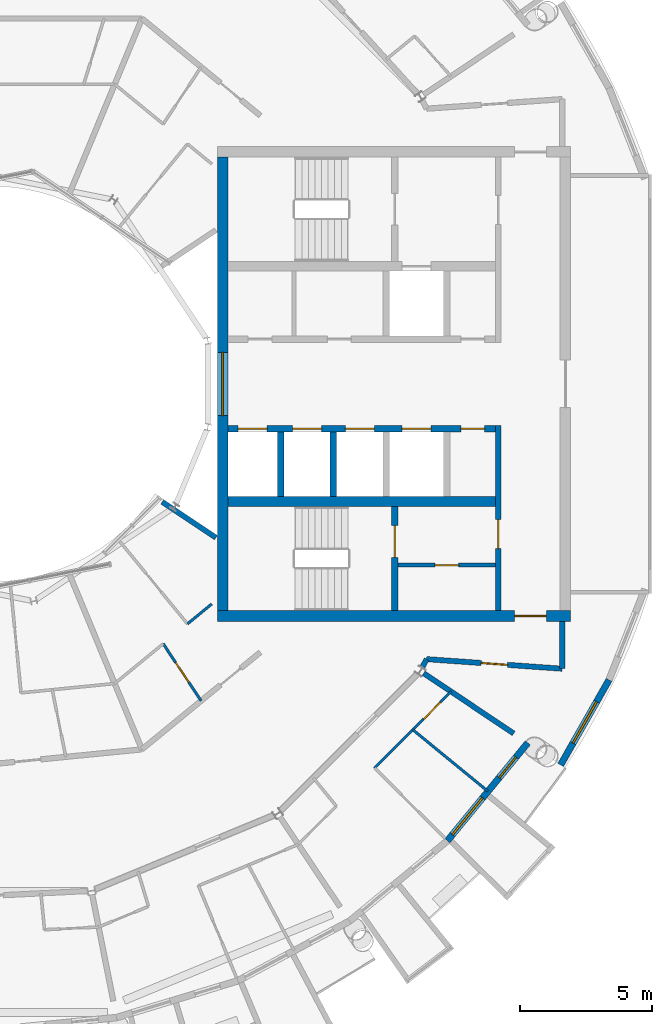
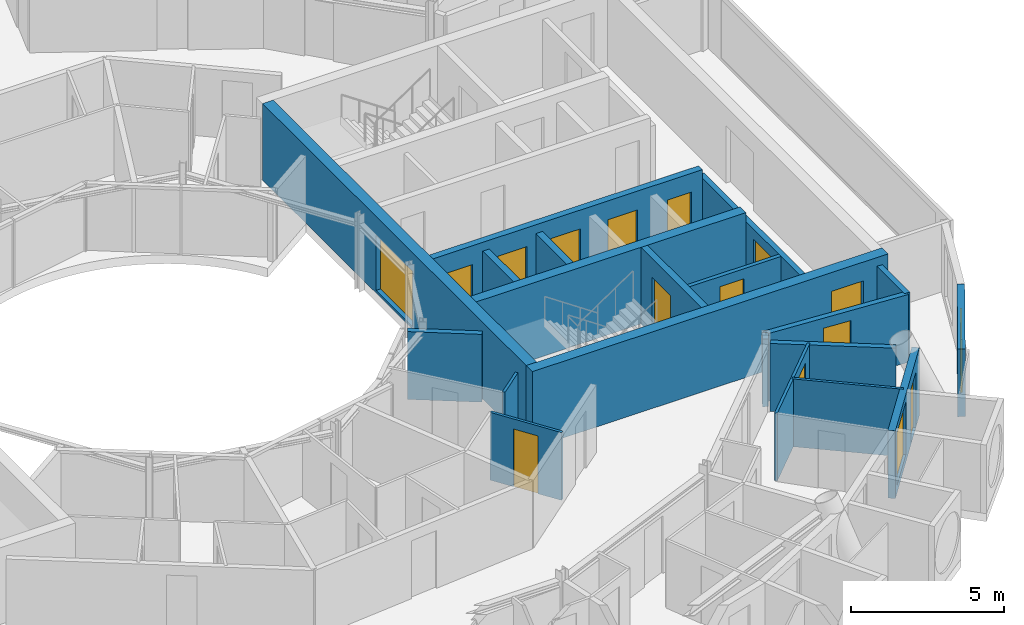
# One storey, part 18 of 27: 20 walls, 13 doors, 3 windows, 16 openings.
"""IFC4 building model written with IfcOpenShell, lengths in metres."""

from ifc_helpers import new_model, si_unit, direction, frame, frame_2d, origin, place, context, subcontext, project, spatial, rectangle, extrude, material, layer, layer_set, type_object, element, fill, save


model = new_model("IFC4")

# Units and contexts
model_context = context("Model", 3, precision=1e-05, world=origin(), true_north=direction((0.0, 1.0)))
body_context = subcontext(model_context, "Body", "Model", "MODEL_VIEW")
ifc_project = project(units=[si_unit("LENGTHUNIT", "METRE"), si_unit("AREAUNIT", "SQUARE_METRE"), si_unit("VOLUMEUNIT", "CUBIC_METRE"), si_unit("PLANEANGLEUNIT", "RADIAN"), si_unit("MASSUNIT", "GRAM", prefix="KILO")], contexts=[model_context])

# Site, building, storey
site_placement = place(None, origin())
site = spatial("IfcSite", under=ifc_project, at=site_placement, CompositionType="ELEMENT")
building_placement = place(site_placement, origin())
building = spatial("IfcBuilding", under=site, at=building_placement, Name="Maasbend Ring Residences", CompositionType="ELEMENT")
storey_placement = place(building_placement, frame((0.0, 0.0, 243.199951171875)))
storey = spatial("IfcBuildingStorey", under=building, at=storey_placement, Name="L70", CompositionType="ELEMENT", Elevation=243.199951171875)

# Wall, openings, doors
ifc_material_1 = material(Name="Concrete C50/60", Category="concrete")
ifc_layer_1 = layer(ifc_material_1, 0.25)
ifc_layer_set_1 = layer_set([ifc_layer_1], Name="Concrete C50/60")
wall_type_1 = type_object("IfcWallType", Name="CORE WALL 250 C50/60", PredefinedType="SHEAR", material=ifc_layer_set_1)
wall_1_placement = place(storey_placement, frame((19.14990234375, -1.699951171875, 0.0), z_axis=(0.0, 0.0, 1.0), x_axis=(-1.0, 0.0, 0.0)))
wall_1 = element("IfcWall", 1, at=wall_1_placement, inside=storey, type_object=wall_type_1, Name="L70 core E wall SPS", PredefinedType="SHEAR", context=body_context, shape_type="SweptSolid", body=[
    extrude(rectangle(XDim=10.14990234375, YDim=0.25, at=frame_2d((5.074951171875, 0.0))), origin(), (0.0, 0.0, 1.0), 3.050048828125),
])
opening_1_placement = place(wall_1_placement, frame((8.66259765625, 0.0, 0.0)))
opening_1 = element("IfcOpeningElement", 2, at=opening_1_placement, cuts=wall_1, Name="Opening LD-E7002", PredefinedType="OPENING", context=body_context, shape_type="SweptSolid", body=[
    extrude(rectangle(XDim=1.10009765625, YDim=2.300048828125, at=frame_2d((0.550048828125, 1.14990234375))), frame((0.0, 0.135009765625, 0.0), z_axis=(0.0, -1.0, 0.0), x_axis=(1.0, 0.0, 0.0)), (0.0, 0.0, 1.0), 0.27001953125),
])
opening_2_placement = place(wall_1_placement, frame((6.60009765625, 0.0, 0.0)))
opening_2 = element("IfcOpeningElement", 3, at=opening_2_placement, cuts=wall_1, Name="Opening LD-E7003", PredefinedType="OPENING", context=body_context, shape_type="SweptSolid", body=[
    extrude(rectangle(XDim=1.10009765625, YDim=2.300048828125, at=frame_2d((0.550048828125, 1.14990234375))), frame((0.0, 0.135009765625, 0.0), z_axis=(0.0, -1.0, 0.0), x_axis=(1.0, 0.0, 0.0)), (0.0, 0.0, 1.0), 0.27001953125),
])
opening_3_placement = place(wall_1_placement, frame((4.60009765625, 0.0, 0.0)))
opening_3 = element("IfcOpeningElement", 4, at=opening_3_placement, cuts=wall_1, Name="Opening LD-E7004", PredefinedType="OPENING", context=body_context, shape_type="SweptSolid", body=[
    extrude(rectangle(XDim=1.10009765625, YDim=2.300048828125, at=frame_2d((0.550048828125, 1.14990234375))), frame((0.0, 0.135009765625, 0.0), z_axis=(0.0, -1.0, 0.0), x_axis=(1.0, 0.0, 0.0)), (0.0, 0.0, 1.0), 0.27001953125),
])
opening_4_placement = place(wall_1_placement, frame((2.449951171875, 0.0, 0.0)))
opening_4 = element("IfcOpeningElement", 5, at=opening_4_placement, cuts=wall_1, Name="Opening LD-E7005", PredefinedType="OPENING", context=body_context, shape_type="SweptSolid", body=[
    extrude(rectangle(XDim=1.10009765625, YDim=2.300048828125, at=frame_2d((0.550048828125, 1.14990234375))), frame((0.0, 0.135009765625, 0.0), z_axis=(0.0, -1.0, 0.0), x_axis=(1.0, 0.0, 0.0)), (0.0, 0.0, 1.0), 0.27001953125),
])
opening_5_placement = place(wall_1_placement, frame((0.41259765625, 0.0, 0.0)))
opening_5 = element("IfcOpeningElement", 6, at=opening_5_placement, cuts=wall_1, Name="Opening D-E7009", PredefinedType="OPENING", context=body_context, shape_type="SweptSolid", body=[
    extrude(rectangle(XDim=0.89990234375, YDim=2.300048828125, at=frame_2d((0.449951171875, 1.14990234375))), frame((0.0, 0.135009765625, 0.0), z_axis=(0.0, -1.0, 0.0), x_axis=(1.0, 0.0, 0.0)), (0.0, 0.0, 1.0), 0.27001953125),
])
ifc_material_2 = material(Name="Stainless steel 316", Category="steel")
door_type_1 = type_object("IfcDoorType", Name="LANDING DOOR 1100 X 2300 FD60", OperationType="DOUBLE_DOOR_SLIDING", PredefinedType="DOOR", material=ifc_material_2)
door_1_placement = place(opening_1_placement, origin())
door_1 = element("IfcDoor", 7, at=door_1_placement, inside=storey, type_object=door_type_1, Name="Landing door HR-E1 L70", OperationType="DOUBLE_DOOR_SLIDING", OverallHeight=2.300048828125, OverallWidth=1.10009765625, PredefinedType="DOOR", context=body_context, shape_type="SweptSolid", body=[
    extrude(rectangle(XDim=1.10009765625, YDim=2.300048828125, at=frame_2d((0.550048828125, 1.14990234375))), frame((0.0, 0.02490234375, 0.0), z_axis=(0.0, -1.0, 0.0), x_axis=(1.0, 0.0, 0.0)), (0.0, 0.0, 1.0), 0.050048828125),
])
fill(opening_1, door_1)
door_2_placement = place(opening_2_placement, origin())
door_2 = element("IfcDoor", 8, at=door_2_placement, inside=storey, type_object=door_type_1, Name="Landing door HR-E2 L70", OperationType="DOUBLE_DOOR_SLIDING", OverallHeight=2.300048828125, OverallWidth=1.10009765625, PredefinedType="DOOR", context=body_context, shape_type="SweptSolid", body=[
    extrude(rectangle(XDim=1.10009765625, YDim=2.300048828125, at=frame_2d((0.550048828125, 1.14990234375))), frame((0.0, 0.02490234375, 0.0), z_axis=(0.0, -1.0, 0.0), x_axis=(1.0, 0.0, 0.0)), (0.0, 0.0, 1.0), 0.050048828125),
])
fill(opening_2, door_2)
door_3_placement = place(opening_3_placement, origin())
door_3 = element("IfcDoor", 9, at=door_3_placement, inside=storey, type_object=door_type_1, Name="Landing door HR-E3 L70", OperationType="DOUBLE_DOOR_SLIDING", OverallHeight=2.300048828125, OverallWidth=1.10009765625, PredefinedType="DOOR", context=body_context, shape_type="SweptSolid", body=[
    extrude(rectangle(XDim=1.10009765625, YDim=2.300048828125, at=frame_2d((0.550048828125, 1.14990234375))), frame((0.0, 0.02490234375, 0.0), z_axis=(0.0, -1.0, 0.0), x_axis=(1.0, 0.0, 0.0)), (0.0, 0.0, 1.0), 0.050048828125),
])
fill(opening_3, door_3)
door_4_placement = place(opening_4_placement, origin())
door_4 = element("IfcDoor", 10, at=door_4_placement, inside=storey, type_object=door_type_1, Name="Landing door SV-E L70", OperationType="DOUBLE_DOOR_SLIDING", OverallHeight=2.300048828125, OverallWidth=1.10009765625, PredefinedType="DOOR", context=body_context, shape_type="SweptSolid", body=[
    extrude(rectangle(XDim=1.10009765625, YDim=2.300048828125, at=frame_2d((0.550048828125, 1.14990234375))), frame((0.0, 0.02490234375, 0.0), z_axis=(0.0, -1.0, 0.0), x_axis=(1.0, 0.0, 0.0)), (0.0, 0.0, 1.0), 0.050048828125),
])
fill(opening_4, door_4)
ifc_material_3 = material(Name="Steel, powder coated", Category="steel")
door_type_2 = type_object("IfcDoorType", Name="ROOM DOOR 900 X 2300 FD30S", OperationType="NOTDEFINED", PredefinedType="DOOR", material=ifc_material_3)
door_5_placement = place(opening_5_placement, origin())
door_5 = element("IfcDoor", 11, at=door_5_placement, inside=storey, type_object=door_type_2, Name="Room door L70", OperationType="SINGLE_SWING_RIGHT", OverallHeight=2.300048828125, OverallWidth=0.89990234375, PredefinedType="DOOR", context=body_context, shape_type="SweptSolid", body=[
    extrude(rectangle(XDim=0.89990234375, YDim=2.300048828125, at=frame_2d((0.449951171875, 1.14990234375))), frame((0.0, 0.02490234375, 0.0), z_axis=(0.0, -1.0, 0.0), x_axis=(1.0, 0.0, 0.0)), (0.0, 0.0, 1.0), 0.050048828125),
])
fill(opening_5, door_5)

# Wall, opening, door
wall_2_placement = place(storey_placement, frame((15.324951171875, -8.60009765625, 0.0), z_axis=(0.0, 0.0, 1.0), x_axis=(0.0, 1.0, 0.0)))
wall_2 = element("IfcWall", 12, at=wall_2_placement, inside=storey, type_object=wall_type_1, Name="L70 core E wall STES", PredefinedType="SHEAR", context=body_context, shape_type="SweptSolid", body=[
    extrude(rectangle(XDim=3.9501953125, YDim=0.25, at=frame_2d((1.97509765625, 0.0))), origin(), (0.0, 0.0, 1.0), 3.050048828125),
])
opening_6_placement = place(wall_2_placement, frame((2.02490234375, 0.0, 0.0)))
opening_6 = element("IfcOpeningElement", 13, at=opening_6_placement, cuts=wall_2, Name="Opening D-E7012", PredefinedType="OPENING", context=body_context, shape_type="SweptSolid", body=[
    extrude(rectangle(XDim=1.199951171875, YDim=2.300048828125, at=frame_2d((0.60009765625, 1.14990234375))), frame((0.0, 0.135009765625, 0.0), z_axis=(0.0, -1.0, 0.0), x_axis=(1.0, 0.0, 0.0)), (0.0, 0.0, 1.0), 0.27001953125),
])
ifc_material_4 = material(Name="Steel, powder coated", Category="steel")
door_type_3 = type_object("IfcDoorType", Name="STAIR DOOR 1200 X 2300 FD60", OperationType="NOTDEFINED", PredefinedType="DOOR", material=ifc_material_4)
door_6_placement = place(opening_6_placement, origin())
door_6 = element("IfcDoor", 14, at=door_6_placement, inside=storey, type_object=door_type_3, Name="Stair door ST-E L70", OperationType="SINGLE_SWING_LEFT", OverallHeight=2.300048828125, OverallWidth=1.199951171875, PredefinedType="DOOR", context=body_context, shape_type="SweptSolid", body=[
    extrude(rectangle(XDim=1.199951171875, YDim=2.300048828125, at=frame_2d((0.60009765625, 1.14990234375))), frame((0.0, 0.02490234375, 0.0), z_axis=(0.0, -1.0, 0.0), x_axis=(1.0, 0.0, 0.0)), (0.0, 0.0, 1.0), 0.050048828125),
])
fill(opening_6, door_6)

# Wall
ifc_material_5 = material(Name="Concrete C50/60", Category="concrete")
ifc_layer_2 = layer(ifc_material_5, 0.375)
ifc_layer_set_2 = layer_set([ifc_layer_2], Name="Concrete C50/60")
wall_type_2 = type_object("IfcWallType", Name="CORE WALL 375 C50/60", PredefinedType="SHEAR", material=ifc_layer_set_2)
wall_3_placement = place(storey_placement, frame((9.0, -4.46240234375, 0.0), z_axis=(0.0, 0.0, 1.0), x_axis=(1.0, 0.0, 0.0)))
element("IfcWall", 15, at=wall_3_placement, inside=storey, type_object=wall_type_2, Name="L70 core E wall BS", PredefinedType="SHEAR", context=body_context, shape_type="SweptSolid", body=[
    extrude(rectangle(XDim=10.14990234375, YDim=0.375, at=frame_2d((5.074951171875, 0.0))), origin(), (0.0, 0.0, 1.0), 3.050048828125),
])

# Wall, opening, door
ifc_material_6 = material(Name="Concrete C50/60", Category="concrete")
ifc_layer_3 = layer(ifc_material_6, 0.39990234375)
ifc_layer_set_3 = layer_set([ifc_layer_3], Name="Concrete C50/60")
wall_type_3 = type_object("IfcWallType", Name="CORE WALL 400 C50/60", PredefinedType="SHEAR", material=ifc_layer_set_3)
wall_4_placement = place(storey_placement, frame((8.60009765625, -8.800048828125, 0.0), z_axis=(0.0, 0.0, 1.0), x_axis=(1.0, 0.0, 0.0)))
wall_4 = element("IfcWall", 16, at=wall_4_placement, inside=storey, type_object=wall_type_3, Name="L70 core E wall PS", PredefinedType="SHEAR", context=body_context, shape_type="SweptSolid", body=[
    extrude(rectangle(XDim=13.39990234375, YDim=0.39990234375, at=frame_2d((6.699951171875, 0.0))), origin(), (0.0, 0.0, 1.0), 3.050048828125),
])
opening_7_placement = place(wall_4_placement, frame((11.27490234375, 0.0, 0.0)))
opening_7 = element("IfcOpeningElement", 17, at=opening_7_placement, cuts=wall_4, Name="Opening D-E7016", PredefinedType="OPENING", context=body_context, shape_type="SweptSolid", body=[
    extrude(rectangle(XDim=1.199951171875, YDim=2.300048828125, at=frame_2d((0.60009765625, 1.14990234375))), frame((0.0, 0.2099609375, 0.0), z_axis=(0.0, -1.0, 0.0), x_axis=(1.0, 0.0, 0.0)), (0.0, 0.0, 1.0), 0.419921875),
])
ifc_material_7 = material(Name="Steel, powder coated", Category="steel")
door_type_4 = type_object("IfcDoorType", Name="CORRIDOR DOOR 1200 X 2300 FD30S", OperationType="NOTDEFINED", PredefinedType="DOOR", material=ifc_material_7)
door_7_placement = place(opening_7_placement, origin())
door_7 = element("IfcDoor", 18, at=door_7_placement, inside=storey, type_object=door_type_4, Name="Corridor door L70", OperationType="SINGLE_SWING_LEFT", OverallHeight=2.300048828125, OverallWidth=1.199951171875, PredefinedType="DOOR", context=body_context, shape_type="SweptSolid", body=[
    extrude(rectangle(XDim=1.199951171875, YDim=2.300048828125, at=frame_2d((0.60009765625, 1.14990234375))), frame((0.0, 0.02490234375, 0.0), z_axis=(0.0, -1.0, 0.0), x_axis=(1.0, 0.0, 0.0)), (0.0, 0.0, 1.0), 0.050048828125),
])
fill(opening_7, door_7)

# Wall, opening, window
wall_5_placement = place(storey_placement, frame((8.800048828125, -8.60009765625, 0.0), z_axis=(0.0, 0.0, 1.0), x_axis=(0.0, 1.0, 0.0)))
wall_5 = element("IfcWall", 19, at=wall_5_placement, inside=storey, type_object=wall_type_3, Name="L70 core E wall PIN", PredefinedType="SHEAR", context=body_context, shape_type="SweptSolid", body=[
    extrude(rectangle(XDim=17.2001953125, YDim=0.39990234375, at=frame_2d((8.60009765625, 0.0))), origin(), (0.0, 0.0, 1.0), 3.050048828125),
])
opening_8_placement = place(wall_5_placement, frame((7.39990234375, 0.0, 0.10009765625)))
opening_8 = element("IfcOpeningElement", 20, at=opening_8_placement, cuts=wall_5, Name="Opening W-E7001", PredefinedType="OPENING", context=body_context, shape_type="SweptSolid", body=[
    extrude(rectangle(XDim=2.39990234375, YDim=2.199951171875, at=frame_2d((1.199951171875, 1.10009765625))), frame((0.0, 0.2099609375, 0.0), z_axis=(0.0, -1.0, 0.0), x_axis=(1.0, 0.0, 0.0)), (0.0, 0.0, 1.0), 0.419921875),
])
ifc_material_8 = material(Name="Aluminium frame and clear glass", Category="aluminium")
window_type_1 = type_object("IfcWindowType", Name="FIXED WINDOW 2400 X 2200", PartitioningType="SINGLE_PANEL", PredefinedType="WINDOW", material=ifc_material_8)
window_1_placement = place(opening_8_placement, origin())
window_1 = element("IfcWindow", 21, at=window_1_placement, inside=storey, type_object=window_type_1, Name="Lobby window L70", OverallHeight=2.199951171875, OverallWidth=2.39990234375, PartitioningType="SINGLE_PANEL", PredefinedType="WINDOW", context=body_context, shape_type="SweptSolid", body=[
    extrude(rectangle(XDim=2.39990234375, YDim=2.199951171875, at=frame_2d((1.199951171875, 1.10009765625))), frame((0.0, 0.030029296875, 0.0), z_axis=(0.0, -1.0, 0.0), x_axis=(1.0, 0.0, 0.0)), (0.0, 0.0, 1.0), 0.06005859375),
])
fill(opening_8, window_1)

# Walls
ifc_material_9 = material(Name="Concrete C30/37", Category="concrete")
ifc_layer_4 = layer(ifc_material_9, 0.199951171875)
ifc_layer_set_4 = layer_set([ifc_layer_4], Name="Concrete C30/37")
wall_type_4 = type_object("IfcWallType", Name="CORRIDOR WALL 200 CONCRETE", PredefinedType="PARTITIONING", material=ifc_layer_set_4)
wall_6_placement = place(storey_placement, frame((21.675048828125, -10.800048828125, 0.0), z_axis=(0.0, 0.0, 1.0), x_axis=(0.0, 1.0, 0.0)))
element("IfcWall", 22, at=wall_6_placement, inside=storey, type_object=wall_type_4, Name="U-L70-w001", PredefinedType="PARTITIONING", context=body_context, shape_type="SweptSolid", body=[
    extrude(rectangle(XDim=1.800048828125, YDim=0.199951171875, at=frame_2d((0.89990234375, 0.0))), origin(), (0.0, 0.0, 1.0), 2.699951171875),
])
wall_7_placement = place(storey_placement, frame((16.366943359375, -10.756103515625, 0.0), z_axis=(0.0, 0.0, 1.0), x_axis=(0.465802239822, 0.884888848035, 0.0)))
element("IfcWall", 23, at=wall_7_placement, inside=storey, type_object=wall_type_4, Name="U-L70-w014", PredefinedType="PARTITIONING", context=body_context, shape_type="SweptSolid", body=[
    extrude(rectangle(XDim=0.360595703125, YDim=0.199951171875, at=frame_2d((0.18017578125, 0.0))), origin(), (0.0, 0.0, 1.0), 2.699951171875),
])

# Wall, opening, door
wall_8_placement = place(storey_placement, frame((16.534912109375, -10.43701171875, 0.0), z_axis=(0.0, 0.0, 1.0), x_axis=(0.997515141784, -0.070452408845, 0.0)))
wall_8 = element("IfcWall", 24, at=wall_8_placement, inside=storey, type_object=wall_type_4, Name="U-L70-w030", PredefinedType="PARTITIONING", context=body_context, shape_type="SweptSolid", body=[
    extrude(rectangle(XDim=5.15283203125, YDim=0.199951171875, at=frame_2d((2.576416015625, 0.0))), origin(), (0.0, 0.0, 1.0), 2.699951171875),
])
opening_9_placement = place(wall_8_placement, frame((2.075927734375, 0.0, 0.0)))
opening_9 = element("IfcOpeningElement", 25, at=opening_9_placement, cuts=wall_8, Name="Opening D-7065", PredefinedType="OPENING", context=body_context, shape_type="SweptSolid", body=[
    extrude(rectangle(XDim=1.0, YDim=2.300048828125, at=frame_2d((0.5, 1.14990234375))), frame((0.0, 0.10986328125, 0.0), z_axis=(0.0, -1.0, 0.0), x_axis=(1.0, 0.0, 0.0)), (0.0, 0.0, 1.0), 0.219970703125),
])
ifc_material_10 = material(Name="Timber, painted", Category="wood")
door_type_5 = type_object("IfcDoorType", Name="ROOM DOOR 1000 X 2300", OperationType="NOTDEFINED", PredefinedType="DOOR", material=ifc_material_10)
door_8_placement = place(opening_9_placement, origin())
door_8 = element("IfcDoor", 26, at=door_8_placement, inside=storey, type_object=door_type_5, Name="D-7065", OperationType="SINGLE_SWING_LEFT", OverallHeight=2.300048828125, OverallWidth=1.0, PredefinedType="DOOR", context=body_context, shape_type="SweptSolid", body=[
    extrude(rectangle(XDim=1.0, YDim=2.300048828125, at=frame_2d((0.5, 1.14990234375))), frame((0.0, 0.02490234375, 0.0), z_axis=(0.0, -1.0, 0.0), x_axis=(1.0, 0.0, 0.0)), (0.0, 0.0, 1.0), 0.050048828125),
])
fill(opening_9, door_8)

# Wall, openings, door, window
ifc_material_11 = material(Name="Aluminium clad insulated panel", Category="aluminium")
ifc_layer_5 = layer(ifc_material_11, 0.25)
ifc_layer_set_5 = layer_set([ifc_layer_5], Name="EW-GL")
wall_type_5 = type_object("IfcWallType", Name="EW-GL", PredefinedType="SOLIDWALL", material=ifc_layer_set_5)
wall_9_placement = place(storey_placement, frame((17.323974609375, -17.323974609375, 0.0), z_axis=(0.0, 0.0, 1.0), x_axis=(0.634396836208, 0.773007538262, 0.0)))
wall_9 = element("IfcWall", 27, at=wall_9_placement, inside=storey, type_object=wall_type_5, Name="External wall S10", PredefinedType="SOLIDWALL", context=body_context, shape_type="SweptSolid", body=[
    extrude(rectangle(XDim=4.80322265625, YDim=0.25, at=frame_2d((2.401611328125, 0.0))), origin(), (0.0, 0.0, 1.0), 2.699951171875),
])
opening_10_placement = place(wall_9_placement, frame((0.3037109375, 0.0, 0.300048828125)))
opening_10 = element("IfcOpeningElement", 28, at=opening_10_placement, cuts=wall_9, Name="Opening W-BX", PredefinedType="OPENING", context=body_context, shape_type="SweptSolid", body=[
    extrude(rectangle(XDim=1.800048828125, YDim=2.10009765625, at=frame_2d((0.89990234375, 1.050048828125))), frame((0.0, 0.135009765625, 0.0), z_axis=(0.0, -1.0, 0.0), x_axis=(1.0, 0.0, 0.0)), (0.0, 0.0, 1.0), 0.27001953125),
])
opening_11_placement = place(wall_9_placement, frame((3.09912109375, 0.0, 0.0)))
opening_11 = element("IfcOpeningElement", 29, at=opening_11_placement, cuts=wall_9, Name="Opening D-LG", PredefinedType="OPENING", context=body_context, shape_type="SweptSolid", body=[
    extrude(rectangle(XDim=1.0, YDim=2.199951171875, at=frame_2d((0.5, 1.10009765625))), frame((0.0, 0.135009765625, 0.0), z_axis=(0.0, -1.0, 0.0), x_axis=(1.0, 0.0, 0.0)), (0.0, 0.0, 1.0), 0.27001953125),
])
ifc_material_12 = material(Name="Aluminium and clear glass", Category="aluminium")
door_type_6 = type_object("IfcDoorType", Name="D-LG", OperationType="SINGLE_SWING_LEFT", PredefinedType="DOOR", material=ifc_material_12)
door_9_placement = place(opening_11_placement, origin())
door_9 = element("IfcDoor", 30, at=door_9_placement, inside=storey, type_object=door_type_6, Name="Loggia door S20", OperationType="SINGLE_SWING_LEFT", OverallHeight=2.199951171875, OverallWidth=1.0, PredefinedType="DOOR", context=body_context, shape_type="SweptSolid", body=[
    extrude(rectangle(XDim=1.0, YDim=2.199951171875, at=frame_2d((0.5, 1.10009765625))), frame((0.0, 0.02490234375, 0.0), z_axis=(0.0, -1.0, 0.0), x_axis=(1.0, 0.0, 0.0)), (0.0, 0.0, 1.0), 0.050048828125),
])
fill(opening_11, door_9)
ifc_material_13 = material(Name="Aluminium and clear glass", Category="aluminium")
window_type_2 = type_object("IfcWindowType", Name="W-BX", PartitioningType="DOUBLE_PANEL_VERTICAL", PredefinedType="WINDOW", material=ifc_material_13)
window_2_placement = place(opening_10_placement, origin())
window_2 = element("IfcWindow", 31, at=window_2_placement, inside=storey, type_object=window_type_2, Name="Window S19 room to box", OverallHeight=2.10009765625, OverallWidth=1.800048828125, PartitioningType="SINGLE_PANEL", PredefinedType="WINDOW", context=body_context, shape_type="SweptSolid", body=[
    extrude(rectangle(XDim=1.800048828125, YDim=2.10009765625, at=frame_2d((0.89990234375, 1.050048828125))), frame((0.0, 0.030029296875, 0.0), z_axis=(0.0, -1.0, 0.0), x_axis=(1.0, 0.0, 0.0)), (0.0, 0.0, 1.0), 0.06005859375),
])
fill(opening_10, window_2)

# Wall, opening, window
ifc_material_14 = material(Name="Aluminium clad insulated panel", Category="aluminium")
ifc_layer_6 = layer(ifc_material_14, 0.25)
ifc_layer_set_6 = layer_set([ifc_layer_6], Name="EW-HORN")
wall_type_6 = type_object("IfcWallType", Name="EW-HORN", PredefinedType="SOLIDWALL", material=ifc_layer_set_6)
wall_10_placement = place(storey_placement, frame((21.617919921875, -14.445068359375, 0.0), z_axis=(0.0, 0.0, 1.0), x_axis=(0.495031435966, 0.868875064325, 0.0)))
wall_10 = element("IfcWall", 32, at=wall_10_placement, inside=storey, type_object=wall_type_6, Name="Horn wall 2.1", PredefinedType="SOLIDWALL", context=body_context, shape_type="SweptSolid", body=[
    extrude(rectangle(XDim=3.704833984375, YDim=0.25, at=frame_2d((1.8525390625, 0.0))), origin(), (0.0, 0.0, 1.0), 2.699951171875),
])
opening_12_placement = place(wall_10_placement, frame((0.952392578125, 0.0, 0.300048828125)))
opening_12 = element("IfcOpeningElement", 33, at=opening_12_placement, cuts=wall_10, Name="Opening W-BX", PredefinedType="OPENING", context=body_context, shape_type="SweptSolid", body=[
    extrude(rectangle(XDim=1.800048828125, YDim=2.10009765625, at=frame_2d((0.89990234375, 1.050048828125))), frame((0.0, 0.135009765625, 0.0), z_axis=(0.0, -1.0, 0.0), x_axis=(1.0, 0.0, 0.0)), (0.0, 0.0, 1.0), 0.27001953125),
])
window_3_placement = place(opening_12_placement, origin())
window_3 = element("IfcWindow", 34, at=window_3_placement, inside=storey, type_object=window_type_2, Name="Horn window 2.1", OverallHeight=2.10009765625, OverallWidth=1.800048828125, PartitioningType="SINGLE_PANEL", PredefinedType="WINDOW", context=body_context, shape_type="SweptSolid", body=[
    extrude(rectangle(XDim=1.800048828125, YDim=2.10009765625, at=frame_2d((0.89990234375, 1.050048828125))), frame((0.0, 0.030029296875, 0.0), z_axis=(0.0, -1.0, 0.0), x_axis=(1.0, 0.0, 0.0)), (0.0, 0.0, 1.0), 0.06005859375),
])
fill(opening_12, window_3)

# Wall, opening, door
ifc_material_15 = material(Name="Gypsum board on steel studs", Category="steel")
ifc_layer_7 = layer(ifc_material_15, 0.10009765625)
ifc_layer_set_7 = layer_set([ifc_layer_7], Name="PARTITION 100 GYPSUM")
wall_type_7 = type_object("IfcWallType", Name="PARTITION 100 GYPSUM", PredefinedType="PARTITIONING", material=ifc_layer_set_7)
wall_11_placement = place(storey_placement, frame((14.55908203125, -14.569091796875, 0.0), z_axis=(0.0, 0.0, 1.0), x_axis=(0.707106781187, 0.707106781187, 0.0)))
wall_11 = element("IfcWall", 35, at=wall_11_placement, inside=storey, type_object=wall_type_7, Name="U-L70-w010", PredefinedType="PARTITIONING", context=body_context, shape_type="SweptSolid", body=[
    extrude(rectangle(XDim=4.111083984375, YDim=0.10009765625, at=frame_2d((2.0556640625, 0.0))), origin(), (0.0, 0.0, 1.0), 2.699951171875),
])
opening_13_placement = place(wall_11_placement, frame((2.633056640625, 0.0, 0.0)))
opening_13 = element("IfcOpeningElement", 36, at=opening_13_placement, cuts=wall_11, Name="Opening D-7051", PredefinedType="OPENING", context=body_context, shape_type="SweptSolid", body=[
    extrude(rectangle(XDim=0.89990234375, YDim=2.300048828125, at=frame_2d((0.449951171875, 1.14990234375))), frame((0.0, 0.06005859375, 0.0), z_axis=(0.0, -1.0, 0.0), x_axis=(1.0, 0.0, 0.0)), (0.0, 0.0, 1.0), 0.1201171875),
])
ifc_material_16 = material(Name="Timber, painted", Category="wood")
door_type_7 = type_object("IfcDoorType", Name="INTERNAL DOOR 900 X 2300", OperationType="NOTDEFINED", PredefinedType="DOOR", material=ifc_material_16)
door_10_placement = place(opening_13_placement, origin())
door_10 = element("IfcDoor", 37, at=door_10_placement, inside=storey, type_object=door_type_7, Name="D-7051", OperationType="SINGLE_SWING_RIGHT", OverallHeight=2.300048828125, OverallWidth=0.89990234375, PredefinedType="DOOR", context=body_context, shape_type="SweptSolid", body=[
    extrude(rectangle(XDim=0.89990234375, YDim=2.300048828125, at=frame_2d((0.449951171875, 1.14990234375))), frame((0.0, 0.02490234375, 0.0), z_axis=(0.0, -1.0, 0.0), x_axis=(1.0, 0.0, 0.0)), (0.0, 0.0, 1.0), 0.050048828125),
])
fill(opening_13, door_10)

# Wall
wall_12_placement = place(storey_placement, frame((7.466064453125, -9.10009765625, 0.0), z_axis=(0.0, 0.0, 1.0), x_axis=(0.772869802794, 0.634564628646, 0.0)))
element("IfcWall", 38, at=wall_12_placement, inside=storey, type_object=wall_type_7, Name="U-L70-w026", PredefinedType="PARTITIONING", context=body_context, shape_type="SweptSolid", body=[
    extrude(rectangle(XDim=1.191650390625, YDim=0.10009765625, at=frame_2d((0.595703125, 0.0))), origin(), (0.0, 0.0, 1.0), 2.699951171875),
])

# Wall, opening, door
wall_13_placement = place(storey_placement, frame((6.5458984375, -9.85400390625, 0.0), z_axis=(0.0, 0.0, 1.0), x_axis=(0.553354377247, -0.83294593653, 0.0)))
wall_13 = element("IfcWall", 39, at=wall_13_placement, inside=storey, type_object=wall_type_7, Name="U-L70-w077", PredefinedType="PARTITIONING", context=body_context, shape_type="SweptSolid", body=[
    extrude(rectangle(XDim=2.596923828125, YDim=0.10009765625, at=frame_2d((1.29833984375, 0.0))), origin(), (0.0, 0.0, 1.0), 2.699951171875),
])
opening_14_placement = place(wall_13_placement, frame((0.84912109375, 0.0, 0.0)))
opening_14 = element("IfcOpeningElement", 40, at=opening_14_placement, cuts=wall_13, Name="Opening D-7061", PredefinedType="OPENING", context=body_context, shape_type="SweptSolid", body=[
    extrude(rectangle(XDim=0.89990234375, YDim=2.300048828125, at=frame_2d((0.449951171875, 1.14990234375))), frame((0.0, 0.06005859375, 0.0), z_axis=(0.0, -1.0, 0.0), x_axis=(1.0, 0.0, 0.0)), (0.0, 0.0, 1.0), 0.1201171875),
])
door_11_placement = place(opening_14_placement, origin())
door_11 = element("IfcDoor", 41, at=door_11_placement, inside=storey, type_object=door_type_7, Name="D-7061", OperationType="SINGLE_SWING_RIGHT", OverallHeight=2.300048828125, OverallWidth=0.89990234375, PredefinedType="DOOR", context=body_context, shape_type="SweptSolid", body=[
    extrude(rectangle(XDim=0.89990234375, YDim=2.300048828125, at=frame_2d((0.449951171875, 1.14990234375))), frame((0.0, 0.02490234375, 0.0), z_axis=(0.0, -1.0, 0.0), x_axis=(1.0, 0.0, 0.0)), (0.0, 0.0, 1.0), 0.050048828125),
])
fill(opening_14, door_11)

# Wall
wall_14_placement = place(storey_placement, frame((16.011962890625, -13.114990234375, 0.0), z_axis=(0.0, 0.0, 1.0), x_axis=(0.773640700514, -0.633624546958, 0.0)))
element("IfcWall", 42, at=wall_14_placement, inside=storey, type_object=wall_type_7, Name="U-L70-w090", PredefinedType="PARTITIONING", context=body_context, shape_type="SweptSolid", body=[
    extrude(rectangle(XDim=3.677490234375, YDim=0.10009765625, at=frame_2d((1.8388671875, 0.0))), origin(), (0.0, 0.0, 1.0), 2.699951171875),
])

# Wall, opening, door
ifc_material_17 = material(Name="Gypsum board on steel studs", Category="steel")
ifc_layer_8 = layer(ifc_material_17, 0.14990234375)
ifc_layer_set_8 = layer_set([ifc_layer_8], Name="PARTITION 150 EI 60")
wall_type_8 = type_object("IfcWallType", Name="PARTITION 150 EI 60", PredefinedType="PARTITIONING", material=ifc_layer_set_8)
wall_15_placement = place(storey_placement, frame((15.449951171875, -6.875, 0.0), z_axis=(0.0, 0.0, 1.0), x_axis=(1.0, 0.0, 0.0)))
wall_15 = element("IfcWall", 43, at=wall_15_placement, inside=storey, type_object=wall_type_8, Name="L70 core E wall RHS", PredefinedType="PARTITIONING", context=body_context, shape_type="SweptSolid", body=[
    extrude(rectangle(XDim=3.699951171875, YDim=0.14990234375, at=frame_2d((1.85009765625, 0.0))), origin(), (0.0, 0.0, 1.0), 2.699951171875),
])
opening_15_placement = place(wall_15_placement, frame((1.39990234375, 0.0, 0.0)))
opening_15 = element("IfcOpeningElement", 44, at=opening_15_placement, cuts=wall_15, Name="Opening D-E7010", PredefinedType="OPENING", context=body_context, shape_type="SweptSolid", body=[
    extrude(rectangle(XDim=0.89990234375, YDim=2.300048828125, at=frame_2d((0.449951171875, 1.14990234375))), frame((0.0, 0.0849609375, 0.0), z_axis=(0.0, -1.0, 0.0), x_axis=(1.0, 0.0, 0.0)), (0.0, 0.0, 1.0), 0.169921875),
])
ifc_material_18 = material(Name="Steel, powder coated", Category="steel")
door_type_8 = type_object("IfcDoorType", Name="RISER DOOR 900 X 2300 FD60", OperationType="NOTDEFINED", PredefinedType="DOOR", material=ifc_material_18)
door_12_placement = place(opening_15_placement, origin())
door_12 = element("IfcDoor", 45, at=door_12_placement, inside=storey, type_object=door_type_8, Name="Riser door L70", OperationType="SINGLE_SWING_LEFT", OverallHeight=2.300048828125, OverallWidth=0.89990234375, PredefinedType="DOOR", context=body_context, shape_type="SweptSolid", body=[
    extrude(rectangle(XDim=0.89990234375, YDim=2.300048828125, at=frame_2d((0.449951171875, 1.14990234375))), frame((0.0, 0.02490234375, 0.0), z_axis=(0.0, -1.0, 0.0), x_axis=(1.0, 0.0, 0.0)), (0.0, 0.0, 1.0), 0.050048828125),
])
fill(opening_15, door_12)

# Walls
ifc_material_19 = material(Name="Concrete C30/37", Category="concrete")
ifc_layer_9 = layer(ifc_material_19, 0.199951171875)
ifc_layer_set_9 = layer_set([ifc_layer_9], Name="Concrete C30/37")
wall_type_9 = type_object("IfcWallType", Name="PARTY WALL 200 CONCRETE", PredefinedType="PARTITIONING", material=ifc_layer_set_9)
wall_16_placement = place(storey_placement, frame((6.512939453125, -4.471923828125, 0.0), z_axis=(0.0, 0.0, 1.0), x_axis=(0.831450132577, -0.555599385382, 0.0)))
element("IfcWall", 46, at=wall_16_placement, inside=storey, type_object=wall_type_9, Name="U-L70-w032", PredefinedType="PARTITIONING", context=body_context, shape_type="SweptSolid", body=[
    extrude(rectangle(XDim=2.442626953125, YDim=0.199951171875, at=frame_2d((1.22119140625, 0.0))), origin(), (0.0, 0.0, 1.0), 2.699951171875),
])
wall_17_placement = place(storey_placement, frame((16.422119140625, -10.971923828125, 0.0), z_axis=(0.0, 0.0, 1.0), x_axis=(0.831400632185, -0.55567345519, 0.0)))
element("IfcWall", 47, at=wall_17_placement, inside=storey, type_object=wall_type_9, Name="U-L70-w091", PredefinedType="PARTITIONING", context=body_context, shape_type="SweptSolid", body=[
    extrude(rectangle(XDim=4.1083984375, YDim=0.199951171875, at=frame_2d((2.05419921875, 0.0))), origin(), (0.0, 0.0, 1.0), 2.699951171875),
])

# Wall, opening, door
ifc_material_20 = material(Name="Concrete C30/37", Category="concrete")
ifc_layer_10 = layer(ifc_material_20, 0.199951171875)
ifc_layer_set_10 = layer_set([ifc_layer_10], Name="Concrete C30/37")
wall_type_10 = type_object("IfcWallType", Name="SHAFT WALL 200 EI 120", PredefinedType="SOLIDWALL", material=ifc_layer_set_10)
wall_18_placement = place(storey_placement, frame((19.25, -8.60009765625, 0.0), z_axis=(0.0, 0.0, 1.0), x_axis=(0.0, 1.0, 0.0)))
wall_18 = element("IfcWall", 48, at=wall_18_placement, inside=storey, type_object=wall_type_10, Name="L70 core E wall ENDS", PredefinedType="SOLIDWALL", context=body_context, shape_type="SweptSolid", body=[
    extrude(rectangle(XDim=7.025146484375, YDim=0.199951171875, at=frame_2d((3.5126953125, 0.0))), origin(), (0.0, 0.0, 1.0), 2.699951171875),
])
opening_16_placement = place(wall_18_placement, frame((2.35009765625, 0.0, 0.0)))
opening_16 = element("IfcOpeningElement", 49, at=opening_16_placement, cuts=wall_18, Name="Opening D-E7014", PredefinedType="OPENING", context=body_context, shape_type="SweptSolid", body=[
    extrude(rectangle(XDim=1.10009765625, YDim=2.300048828125, at=frame_2d((0.550048828125, 1.14990234375))), frame((0.0, 0.10986328125, 0.0), z_axis=(0.0, -1.0, 0.0), x_axis=(1.0, 0.0, 0.0)), (0.0, 0.0, 1.0), 0.219970703125),
])
ifc_material_21 = material(Name="Steel, powder coated", Category="steel")
door_type_9 = type_object("IfcDoorType", Name="LOBBY DOOR 1100 X 2300 FD60", OperationType="NOTDEFINED", PredefinedType="DOOR", material=ifc_material_21)
door_13_placement = place(opening_16_placement, origin())
door_13 = element("IfcDoor", 50, at=door_13_placement, inside=storey, type_object=door_type_9, Name="Lobby door L70", OperationType="SINGLE_SWING_RIGHT", OverallHeight=2.300048828125, OverallWidth=1.10009765625, PredefinedType="DOOR", context=body_context, shape_type="SweptSolid", body=[
    extrude(rectangle(XDim=1.10009765625, YDim=2.300048828125, at=frame_2d((0.550048828125, 1.14990234375))), frame((0.0, 0.02490234375, 0.0), z_axis=(0.0, -1.0, 0.0), x_axis=(1.0, 0.0, 0.0)), (0.0, 0.0, 1.0), 0.050048828125),
])
fill(opening_16, door_13)

# Walls
ifc_material_22 = material(Name="Concrete C30/37", Category="concrete")
ifc_layer_11 = layer(ifc_material_22, 0.25)
ifc_layer_set_11 = layer_set([ifc_layer_11], Name="Concrete C30/37")
wall_type_11 = type_object("IfcWallType", Name="SHAFT WALL 250 EI 120", PredefinedType="SOLIDWALL", material=ifc_layer_set_11)
for number, where, z_axis, x_axis, name in (
    (51, (11.0, -1.824951171875, 0.0), (0.0, 0.0, 1.0), (0.0, -1.0, 0.0), "L70 core E wall D110S"),
    (52, (13.0, -1.824951171875, 0.0), (0.0, 0.0, 1.0), (0.0, -1.0, 0.0), "L70 core E wall D130S"),
):
    element("IfcWall", number, at=place(storey_placement, frame(where, z_axis=z_axis, x_axis=x_axis)), inside=storey, type_object=wall_type_11, Name=name, PredefinedType="SOLIDWALL", context=body_context, shape_type="SweptSolid", body=[
        extrude(rectangle(XDim=2.449951171875, YDim=0.25, at=frame_2d((1.22509765625, 0.0))), origin(), (0.0, 0.0, 1.0), 2.699951171875),
    ])

save(model, "model.ifc")
